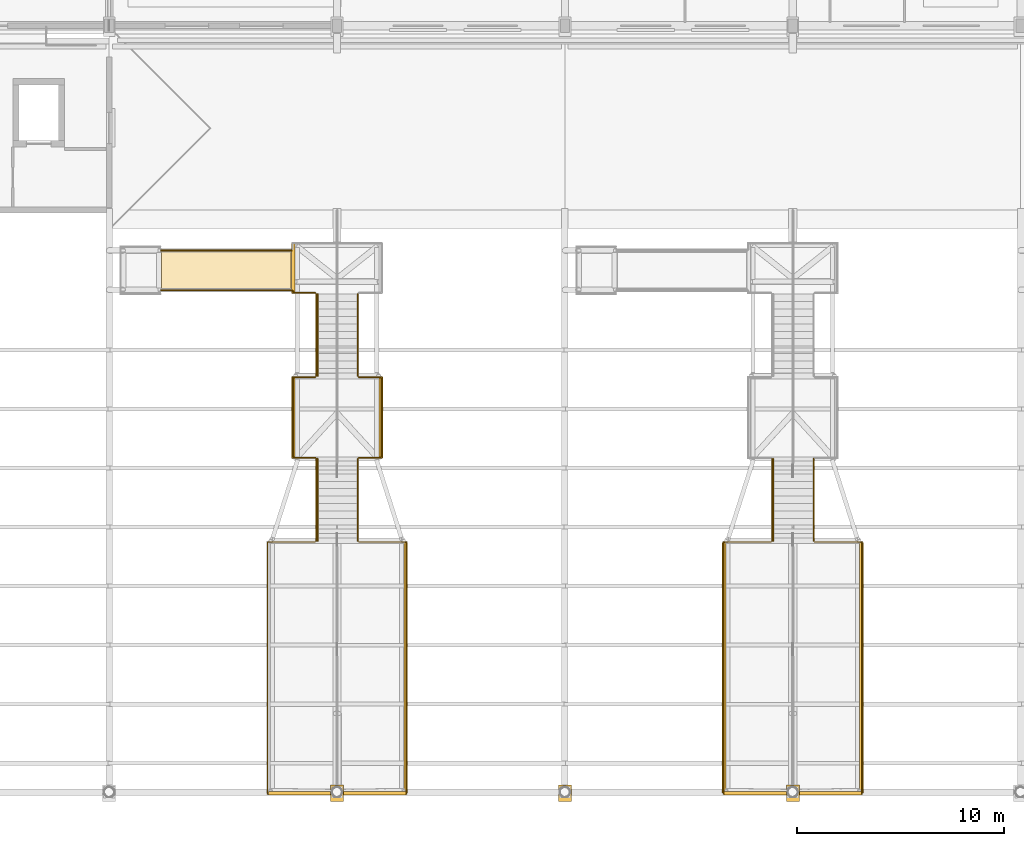
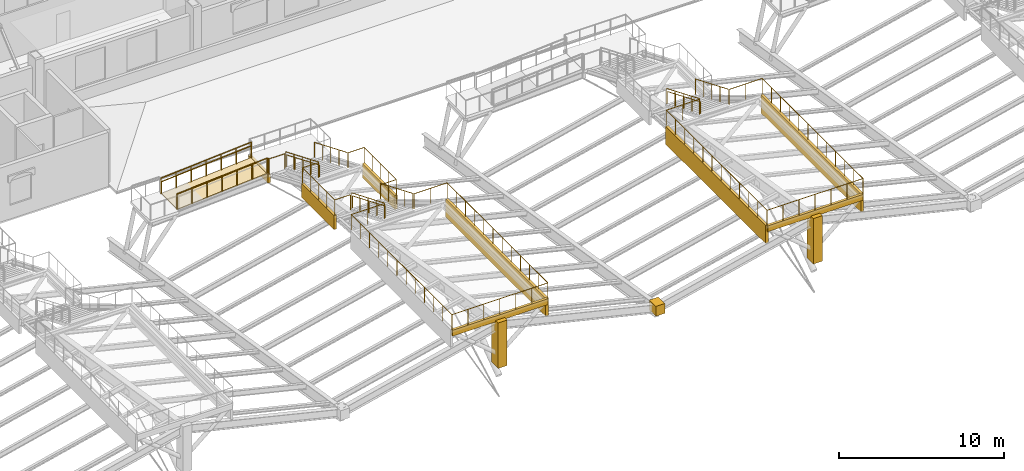
# One storey, part 33 of 43: 17 railings, 12 coverings.
"""IFC4 building model written with IfcOpenShell, lengths in metres."""

from ifc_helpers import new_model, si_unit, direction, frame, frame_2d, origin, origin_2d, place, context, subcontext, project, spatial, polyline, rectangle, circle, outline, extrude, material, layer, layer_set, type_object, element, save


model = new_model("IFC4")

# Units and contexts
model_context = context("Model", 3, precision=1e-05, world=origin(), true_north=direction((0.0, 1.0)))
body_context = subcontext(model_context, "Body", "Model", "MODEL_VIEW")
ifc_project = project(units=[si_unit("LENGTHUNIT", "METRE"), si_unit("AREAUNIT", "SQUARE_METRE"), si_unit("VOLUMEUNIT", "CUBIC_METRE"), si_unit("PLANEANGLEUNIT", "RADIAN"), si_unit("MASSUNIT", "GRAM", prefix="KILO")], contexts=[model_context])

# Site, building, storey
site_placement = place(None, origin())
site = spatial("IfcSite", under=ifc_project, at=site_placement, CompositionType="ELEMENT")
building_placement = place(site_placement, origin())
building = spatial("IfcBuilding", under=site, at=building_placement, Name="Caurita Quay Ferry Terminal", CompositionType="ELEMENT")
storey_placement = place(building_placement, frame((0.0, 0.0, 14.10009765625)))
storey = spatial("IfcBuildingStorey", under=building, at=storey_placement, Name="L03", CompositionType="ELEMENT", Elevation=14.10009765625)

# Coverings
ifc_material_1 = material(Name="Warm-white lime stucco masonry", Category="masonry")
ifc_layer_1 = layer(ifc_material_1, 0.360107421875, Name="Spanish Colonial semicircular lime-stucco portales arcade 360 mm")
ifc_layer_set_1 = layer_set([ifc_layer_1], Name="Warm-white lime stucco masonry")
covering_type_1 = type_object("IfcCoveringType", Name="COV-ARC-CLD", PredefinedType="CLADDING", material=ifc_layer_set_1)
covering_1_placement = place(storey_placement, frame((36.320068359375, 34.550048828125, 2.349853515625), z_axis=(0.0, 0.0, 1.0), x_axis=(0.0, 1.0, 0.0)))
element("IfcCovering", 1, at=covering_1_placement, inside=storey, type_object=covering_type_1, Name="Folded Roof Bay 2 Lookout Stucco Skirt 02", PredefinedType="CLADDING", context=body_context, shape_type="SweptSolid", body=[
    extrude(rectangle(XDim=12.099853515625, YDim=0.179931640625, at=frame_2d((6.0498046875, 0.0))), origin(), (0.0, 0.0, 1.0), 1.330078125),
])
covering_2_placement = place(storey_placement, frame((29.679931640625, 34.550048828125, 3.25), z_axis=(0.0, 0.0, 1.0), x_axis=(1.0, 0.0, 0.0)))
element("IfcCovering", 2, at=covering_2_placement, inside=storey, type_object=covering_type_1, Name="Folded Roof Bay 2 Lookout Stucco Skirt 03", PredefinedType="CLADDING", context=body_context, shape_type="SweptSolid", body=[
    extrude(rectangle(XDim=6.64013671875, YDim=0.179931640625, at=frame_2d((3.320068359375, 0.0))), origin(), (0.0, 0.0, 1.0), 0.429931640625),
])
for number, where, z_axis, x_axis, name in (
    (3, (30.8798828125, 54.64990234375, 0.849853515625), (0.0, 0.0, 1.0), (0.0, -1.0, 0.0), "Folded Roof Bay 2 Lookout Stucco Skirt 04"),
    (4, (35.1201171875, 50.72998046875, 0.849853515625), (0.0, 0.0, 1.0), (0.0, 1.0, 0.0), "Folded Roof Bay 2 Lookout Stucco Skirt 05"),
):
    element("IfcCovering", number, at=place(storey_placement, frame(where, z_axis=z_axis, x_axis=x_axis)), inside=storey, type_object=covering_type_1, Name=name, PredefinedType="CLADDING", context=body_context, shape_type="SweptSolid", body=[
        extrude(rectangle(XDim=3.919921875, YDim=0.179931640625, at=frame_2d((1.9599609375, 0.0))), origin(), (0.0, 0.0, 1.0), 1.030029296875),
    ])
covering_3_placement = place(storey_placement, frame((30.8798828125, 61.10009765625, -0.550048828125), z_axis=(0.0, 0.0, 1.0), x_axis=(0.0, -1.0, 0.0)))
element("IfcCovering", 5, at=covering_3_placement, inside=storey, type_object=covering_type_1, Name="Folded Roof Bay 2 Lookout Stucco Skirt 06", PredefinedType="CLADDING", context=body_context, shape_type="SweptSolid", body=[
    extrude(rectangle(XDim=2.400146484375, YDim=0.179931640625, at=frame_2d((1.2001953125, 0.0))), origin(), (0.0, 0.0, 1.0), 0.6298828125),
])
for number, where, z_axis, x_axis, name in (
    (6, (51.679931640625, 46.64990234375, 2.349853515625), (0.0, 0.0, 1.0), (0.0, -1.0, 0.0), "Folded Roof Bay 3 Lookout Stucco Skirt 01"),
    (7, (58.320068359375, 34.550048828125, 2.349853515625), (0.0, 0.0, 1.0), (0.0, 1.0, 0.0), "Folded Roof Bay 3 Lookout Stucco Skirt 02"),
):
    element("IfcCovering", number, at=place(storey_placement, frame(where, z_axis=z_axis, x_axis=x_axis)), inside=storey, type_object=covering_type_1, Name=name, PredefinedType="CLADDING", context=body_context, shape_type="SweptSolid", body=[
        extrude(rectangle(XDim=12.099853515625, YDim=0.179931640625, at=frame_2d((6.0498046875, 0.0))), origin(), (0.0, 0.0, 1.0), 1.330078125),
    ])
covering_4_placement = place(storey_placement, frame((51.679931640625, 34.550048828125, 3.25), z_axis=(0.0, 0.0, 1.0), x_axis=(1.0, 0.0, 0.0)))
element("IfcCovering", 8, at=covering_4_placement, inside=storey, type_object=covering_type_1, Name="Folded Roof Bay 3 Lookout Stucco Skirt 03", PredefinedType="CLADDING", context=body_context, shape_type="SweptSolid", body=[
    extrude(rectangle(XDim=6.64013671875, YDim=0.179931640625, at=frame_2d((3.320068359375, 0.0))), origin(), (0.0, 0.0, 1.0), 0.429931640625),
])
ifc_material_2 = material(Name="Polished marine terrazzo tile", Category="finish")
ifc_layer_2 = layer(ifc_material_2, 0.02490234375, Name="Polished marine terrazzo floor finish 25 mm")
ifc_layer_set_2 = layer_set([ifc_layer_2], Name="Polished marine terrazzo tile")
covering_type_2 = type_object("IfcCoveringType", Name="COV-FLR-025", PredefinedType="FLOORING", material=ifc_layer_set_2)
covering_5_placement = place(storey_placement, frame((24.530029296875, 58.840087890625, -0.35009765625), z_axis=(-0.071920937813, 0.0, 0.997410336173), x_axis=(0.997410336173, 0.0, 0.071920937813)))
element("IfcCovering", 9, at=covering_5_placement, inside=storey, type_object=covering_type_2, Name="Folded Roof Bay 2 Accessible Ramp Terrazzo Deck", PredefinedType="FLOORING", context=body_context, shape_type="SweptSolid", body=[
    extrude(outline(polyline([(0.0, 0.0), (6.256191667633518, 0.0), (6.256191667633518, 1.9199218750000004), (0.0, 1.9199218750000004), (0.0, 0.0)])), origin(), (0.0, 0.0, -1.0), 0.06005859375),
])
ifc_layer_3 = layer(ifc_material_1, 0.179931640625, Name="Classical engaged lime-stucco facade pilaster cladding 180 mm")
ifc_layer_set_3 = layer_set([ifc_layer_3], Name="Warm-white lime stucco masonry")
covering_type_3 = type_object("IfcCoveringType", Name="COV-PIL-CLD", PredefinedType="CLADDING", material=ifc_layer_set_3)
covering_6_placement = place(storey_placement, frame((33.0, 34.550048828125, 0.0), z_axis=(0.0, 0.0, 1.0), x_axis=(1.0, 0.0, 0.0)))
element("IfcCovering", 10, at=covering_6_placement, inside=storey, type_object=covering_type_3, Name="L03 Classical Engaged Pilaster 0036", PredefinedType="CLADDING", context=body_context, shape_type="SweptSolid", body=[
    extrude(rectangle(XDim=0.6279296875, YDim=0.7880859375, at=origin_2d()), origin(), (0.0, 0.0, 1.0), 3.360107421875),
])
covering_7_placement = place(storey_placement, frame((44.0, 34.550048828125, 0.0), z_axis=(0.0, 0.0, 1.0), x_axis=(1.0, 0.0, 0.0)))
element("IfcCovering", 11, at=covering_7_placement, inside=storey, type_object=covering_type_3, Name="L03 Classical Engaged Pilaster 0043", PredefinedType="CLADDING", context=body_context, shape_type="SweptSolid", body=[
    extrude(rectangle(XDim=0.6279296875, YDim=0.7880859375, at=origin_2d()), origin(), (0.0, 0.0, 1.0), 0.719970703125),
])
covering_8_placement = place(storey_placement, frame((55.0, 34.550048828125, 0.0), z_axis=(0.0, 0.0, 1.0), x_axis=(1.0, 0.0, 0.0)))
element("IfcCovering", 12, at=covering_8_placement, inside=storey, type_object=covering_type_3, Name="L03 Classical Engaged Pilaster 0050", PredefinedType="CLADDING", context=body_context, shape_type="SweptSolid", body=[
    extrude(rectangle(XDim=0.6279296875, YDim=0.7880859375, at=origin_2d()), origin(), (0.0, 0.0, 1.0), 3.360107421875),
])

# Railings
ifc_material_3 = material(Name="Bronze architectural metalwork", Category="metal")
railing_type_1 = type_object("IfcRailingType", Name="RL-HND-090", PredefinedType="HANDRAIL", material=ifc_material_3)
railing_1_placement = place(storey_placement, frame((32.06005859375, 58.64990234375, 0.25)))
element("IfcRailing", 13, at=railing_1_placement, inside=storey, type_object=railing_type_1, Name="Waterside Peak Lookout 2 Handrail 1", PredefinedType="HANDRAIL", context=body_context, shape_type="SweptSolid", body=[
    extrude(circle(Radius=0.02392578125, at=origin_2d()), frame((0.0, 0.0, 0.8759765625), z_axis=(0.0, -0.923083657872, 0.384599220709), x_axis=(1.0, 0.0, 0.0)), (0.0, 0.0, 1.0), 4.2900390625),
    extrude(circle(Radius=0.02099609375, at=origin_2d()), origin(), (0.0, 0.0, 1.0), 0.851806640625),
    extrude(circle(Radius=0.02099609375, at=origin_2d()), frame((0.0, -0.989990234375, 0.41259765625)), (0.0, 0.0, 1.0), 0.851806640625),
    extrude(circle(Radius=0.02099609375, at=origin_2d()), frame((0.0, -1.97998046875, 0.824951171875)), (0.0, 0.0, 1.0), 0.851806640625),
    extrude(circle(Radius=0.02099609375, at=origin_2d()), frame((0.0, -2.969970703125, 1.2373046875)), (0.0, 0.0, 1.0), 0.851806640625),
    extrude(circle(Radius=0.02099609375, at=origin_2d()), frame((0.0, -3.9599609375, 1.64990234375)), (0.0, 0.0, 1.0), 0.851806640625),
])
for number, where, name in (
    (14, (32.06005859375, 50.68994140625, 2.0498046875), "Waterside Peak Lookout 2 Handrail 2"),
    (15, (54.06005859375, 50.68994140625, 2.0498046875), "Waterside Peak Lookout 3 Handrail 2"),
):
    element("IfcRailing", number, at=place(storey_placement, frame(where)), inside=storey, type_object=railing_type_1, Name=name, PredefinedType="HANDRAIL", context=body_context, shape_type="SweptSolid", body=[
        extrude(circle(Radius=0.02392578125, at=origin_2d()), frame((0.0, 0.0, 0.8759765625), z_axis=(0.0, -0.923063452933, 0.384647711367), x_axis=(1.0, 0.0, 0.0)), (0.0, 0.0, 1.0), 4.2900390625),
        extrude(circle(Radius=0.02099609375, at=origin_2d()), origin(), (0.0, 0.0, 1.0), 0.851806640625),
        extrude(circle(Radius=0.02099609375, at=origin_2d()), frame((0.0, -0.989990234375, 0.41259765625)), (0.0, 0.0, 1.0), 0.851806640625),
        extrude(circle(Radius=0.02099609375, at=origin_2d()), frame((0.0, -1.97998046875, 0.8251953125)), (0.0, 0.0, 1.0), 0.851806640625),
        extrude(circle(Radius=0.02099609375, at=origin_2d()), frame((0.0, -2.969970703125, 1.237548828125)), (0.0, 0.0, 1.0), 0.851806640625),
        extrude(circle(Radius=0.02099609375, at=origin_2d()), frame((0.0, -3.9599609375, 1.650146484375)), (0.0, 0.0, 1.0), 0.851806640625),
    ])
railing_2_placement = place(storey_placement, frame((24.5, 60.739990234375, -0.35009765625)))
element("IfcRailing", 16, at=railing_2_placement, inside=storey, type_object=railing_type_1, Name="Folded Roof Bay 2 Accessible Lookout Ramp Handrail 2", PredefinedType="HANDRAIL", context=body_context, shape_type="SweptSolid", body=[
    extrude(circle(Radius=0.02392578125, at=origin_2d()), frame((0.0, 0.0, 0.8759765625), z_axis=(0.997459288432, 0.0, 0.07123880909), x_axis=(0.0, 1.0, 0.0)), (0.0, 0.0, 1.0), 6.316162109375),
    extrude(circle(Radius=0.02099609375, at=origin_2d()), origin(), (0.0, 0.0, 1.0), 0.851806640625),
    extrude(circle(Radius=0.02099609375, at=origin_2d()), frame((1.050048828125, 0.0, 0.074951171875)), (0.0, 0.0, 1.0), 0.851806640625),
    extrude(circle(Radius=0.02099609375, at=origin_2d()), frame((2.10009765625, 0.0, 0.14990234375)), (0.0, 0.0, 1.0), 0.851806640625),
    extrude(circle(Radius=0.02099609375, at=origin_2d()), frame((3.14990234375, 0.0, 0.22509765625)), (0.0, 0.0, 1.0), 0.851806640625),
    extrude(circle(Radius=0.02099609375, at=origin_2d()), frame((4.199951171875, 0.0, 0.300048828125)), (0.0, 0.0, 1.0), 0.851806640625),
    extrude(circle(Radius=0.02099609375, at=origin_2d()), frame((5.25, 0.0, 0.375)), (0.0, 0.0, 1.0), 0.851806640625),
    extrude(circle(Radius=0.02099609375, at=origin_2d()), frame((6.300048828125, 0.0, 0.449951171875)), (0.0, 0.0, 1.0), 0.851806640625),
])
railing_type_2 = type_object("IfcRailingType", Name="RL-REJA-115", PredefinedType="BALUSTRADE", material=ifc_material_3)
railing_3_placement = place(storey_placement, frame((31.949951171875, 58.699951171875, 0.099853515625)))
element("IfcRailing", 17, at=railing_3_placement, inside=storey, type_object=railing_type_2, Name="Waterside Peak Lookout 2 Guardrail 1", PredefinedType="BALUSTRADE", context=body_context, shape_type="SweptSolid", body=[
    extrude(circle(Radius=0.02392578125, at=origin_2d()), frame((0.0, 0.0, 1.1259765625), z_axis=(-1.0, 0.0, 0.0), x_axis=(0.0, -1.0, 0.0)), (0.0, 0.0, 1.0), 1.099853515625),
    extrude(circle(Radius=0.02392578125, at=origin_2d()), frame((-1.099853515625, 0.0, 1.1259765625), z_axis=(0.0, 1.0, 0.0), x_axis=(-1.0, 0.0, 0.0)), (0.0, 0.0, 1.0), 0.10009765625),
    extrude(circle(Radius=0.02099609375, at=origin_2d()), origin(), (0.0, 0.0, 1.0), 1.101806640625),
    extrude(circle(Radius=0.02099609375, at=origin_2d()), frame((-1.099853515625, 0.0, 0.0)), (0.0, 0.0, 1.0), 1.101806640625),
    extrude(circle(Radius=0.02099609375, at=origin_2d()), frame((-1.099853515625, 0.10009765625, 0.0)), (0.0, 0.0, 1.0), 1.101806640625),
])
for number, where, name in (
    (18, (32.0, 58.64990234375, 0.25), "Waterside Peak Lookout 2 Guardrail 3"),
    (19, (34.0, 58.64990234375, 0.25), "Waterside Peak Lookout 2 Guardrail 4"),
):
    element("IfcRailing", number, at=place(storey_placement, frame(where)), inside=storey, type_object=railing_type_2, Name=name, PredefinedType="BALUSTRADE", context=body_context, shape_type="SweptSolid", body=[
        extrude(circle(Radius=0.02392578125, at=origin_2d()), frame((0.0, 0.0, 1.1259765625), z_axis=(0.0, -0.923083657872, 0.384599220709), x_axis=(1.0, 0.0, 0.0)), (0.0, 0.0, 1.0), 4.2900390625),
        extrude(circle(Radius=0.02099609375, at=origin_2d()), origin(), (0.0, 0.0, 1.0), 1.101806640625),
        extrude(circle(Radius=0.02099609375, at=origin_2d()), frame((0.0, -0.989990234375, 0.41259765625)), (0.0, 0.0, 1.0), 1.101806640625),
        extrude(circle(Radius=0.02099609375, at=origin_2d()), frame((0.0, -1.97998046875, 0.824951171875)), (0.0, 0.0, 1.0), 1.101806640625),
        extrude(circle(Radius=0.02099609375, at=origin_2d()), frame((0.0, -2.969970703125, 1.2373046875)), (0.0, 0.0, 1.0), 1.101806640625),
        extrude(circle(Radius=0.02099609375, at=origin_2d()), frame((0.0, -3.9599609375, 1.64990234375)), (0.0, 0.0, 1.0), 1.101806640625),
    ])
railing_4_placement = place(storey_placement, frame((31.949951171875, 54.639892578125, 1.89990234375)))
element("IfcRailing", 20, at=railing_4_placement, inside=storey, type_object=railing_type_2, Name="Waterside Peak Lookout 2 Guardrail 5", PredefinedType="BALUSTRADE", context=body_context, shape_type="SweptSolid", body=[
    extrude(circle(Radius=0.02392578125, at=origin_2d()), frame((0.0, 0.0, 1.1259765625), z_axis=(-1.0, 0.0, 0.0), x_axis=(0.0, -1.0, 0.0)), (0.0, 0.0, 1.0), 1.099853515625),
    extrude(circle(Radius=0.02392578125, at=origin_2d()), frame((-1.099853515625, 0.0, 1.1259765625), z_axis=(0.0, -1.0, 0.0), x_axis=(1.0, 0.0, 0.0)), (0.0, 0.0, 1.0), 3.89990234375),
    extrude(circle(Radius=0.02392578125, at=origin_2d()), frame((-1.099853515625, -3.89990234375, 1.1259765625), z_axis=(1.0, 0.0, 0.0), x_axis=(0.0, 1.0, 0.0)), (0.0, 0.0, 1.0), 1.099853515625),
    extrude(circle(Radius=0.02099609375, at=origin_2d()), origin(), (0.0, 0.0, 1.0), 1.101806640625),
    extrude(circle(Radius=0.02099609375, at=origin_2d()), frame((-1.099853515625, 0.0, 0.0)), (0.0, 0.0, 1.0), 1.101806640625),
    extrude(circle(Radius=0.02099609375, at=origin_2d()), frame((-1.099853515625, -0.97509765625, 0.0)), (0.0, 0.0, 1.0), 1.101806640625),
    extrude(circle(Radius=0.02099609375, at=origin_2d()), frame((-1.099853515625, -1.949951171875, 0.0)), (0.0, 0.0, 1.0), 1.101806640625),
    extrude(circle(Radius=0.02099609375, at=origin_2d()), frame((-1.099853515625, -2.9248046875, 0.0)), (0.0, 0.0, 1.0), 1.101806640625),
    extrude(circle(Radius=0.02099609375, at=origin_2d()), frame((-1.099853515625, -3.89990234375, 0.0)), (0.0, 0.0, 1.0), 1.101806640625),
    extrude(circle(Radius=0.02099609375, at=origin_2d()), frame((0.0, -3.89990234375, 0.0)), (0.0, 0.0, 1.0), 1.101806640625),
])
railing_5_placement = place(storey_placement, frame((34.050048828125, 54.639892578125, 1.89990234375)))
element("IfcRailing", 21, at=railing_5_placement, inside=storey, type_object=railing_type_2, Name="Waterside Peak Lookout 2 Guardrail 6", PredefinedType="BALUSTRADE", context=body_context, shape_type="SweptSolid", body=[
    extrude(circle(Radius=0.02392578125, at=origin_2d()), frame((0.0, 0.0, 1.1259765625), z_axis=(1.0, 0.0, 0.0), x_axis=(0.0, 1.0, 0.0)), (0.0, 0.0, 1.0), 1.099853515625),
    extrude(circle(Radius=0.02392578125, at=origin_2d()), frame((1.099853515625, 0.0, 1.1259765625), z_axis=(0.0, -1.0, 0.0), x_axis=(1.0, 0.0, 0.0)), (0.0, 0.0, 1.0), 3.89990234375),
    extrude(circle(Radius=0.02392578125, at=origin_2d()), frame((1.099853515625, -3.89990234375, 1.1259765625), z_axis=(-1.0, 0.0, 0.0), x_axis=(0.0, -1.0, 0.0)), (0.0, 0.0, 1.0), 1.099853515625),
    extrude(circle(Radius=0.02099609375, at=origin_2d()), origin(), (0.0, 0.0, 1.0), 1.101806640625),
    extrude(circle(Radius=0.02099609375, at=origin_2d()), frame((1.099853515625, 0.0, 0.0)), (0.0, 0.0, 1.0), 1.101806640625),
    extrude(circle(Radius=0.02099609375, at=origin_2d()), frame((1.099853515625, -0.97509765625, 0.0)), (0.0, 0.0, 1.0), 1.101806640625),
    extrude(circle(Radius=0.02099609375, at=origin_2d()), frame((1.099853515625, -1.949951171875, 0.0)), (0.0, 0.0, 1.0), 1.101806640625),
    extrude(circle(Radius=0.02099609375, at=origin_2d()), frame((1.099853515625, -2.9248046875, 0.0)), (0.0, 0.0, 1.0), 1.101806640625),
    extrude(circle(Radius=0.02099609375, at=origin_2d()), frame((1.099853515625, -3.89990234375, 0.0)), (0.0, 0.0, 1.0), 1.101806640625),
    extrude(circle(Radius=0.02099609375, at=origin_2d()), frame((0.0, -3.89990234375, 0.0)), (0.0, 0.0, 1.0), 1.101806640625),
])
for number, where, name in (
    (22, (32.0, 50.68994140625, 2.0498046875), "Waterside Peak Lookout 2 Guardrail 7"),
    (23, (34.0, 50.68994140625, 2.0498046875), "Waterside Peak Lookout 2 Guardrail 8"),
):
    element("IfcRailing", number, at=place(storey_placement, frame(where)), inside=storey, type_object=railing_type_2, Name=name, PredefinedType="BALUSTRADE", context=body_context, shape_type="SweptSolid", body=[
        extrude(circle(Radius=0.02392578125, at=origin_2d()), frame((0.0, 0.0, 1.1259765625), z_axis=(0.0, -0.923063452933, 0.384647711367), x_axis=(1.0, 0.0, 0.0)), (0.0, 0.0, 1.0), 4.2900390625),
        extrude(circle(Radius=0.02099609375, at=origin_2d()), origin(), (0.0, 0.0, 1.0), 1.101806640625),
        extrude(circle(Radius=0.02099609375, at=origin_2d()), frame((0.0, -0.989990234375, 0.41259765625)), (0.0, 0.0, 1.0), 1.101806640625),
        extrude(circle(Radius=0.02099609375, at=origin_2d()), frame((0.0, -1.97998046875, 0.8251953125)), (0.0, 0.0, 1.0), 1.101806640625),
        extrude(circle(Radius=0.02099609375, at=origin_2d()), frame((0.0, -2.969970703125, 1.237548828125)), (0.0, 0.0, 1.0), 1.101806640625),
        extrude(circle(Radius=0.02099609375, at=origin_2d()), frame((0.0, -3.9599609375, 1.650146484375)), (0.0, 0.0, 1.0), 1.101806640625),
    ])
railing_6_placement = place(storey_placement, frame((31.949951171875, 46.679931640625, 3.699951171875)))
element("IfcRailing", 24, at=railing_6_placement, inside=storey, type_object=railing_type_2, Name="Waterside Peak Lookout 2 Guardrail 9", PredefinedType="BALUSTRADE", context=body_context, shape_type="SweptSolid", body=[
    extrude(circle(Radius=0.02392578125, at=origin_2d()), frame((0.0, 0.0, 1.1259765625), z_axis=(-1.0, 0.0, 0.0), x_axis=(0.0, -1.0, 0.0)), (0.0, 0.0, 1.0), 2.300048828125),
    extrude(circle(Radius=0.02392578125, at=origin_2d()), frame((-2.300048828125, 0.0, 1.1259765625), z_axis=(0.0, -1.0, 0.0), x_axis=(1.0, 0.0, 0.0)), (0.0, 0.0, 1.0), 12.179931640625),
    extrude(circle(Radius=0.02392578125, at=origin_2d()), frame((-2.300048828125, -12.179931640625, 1.1259765625), z_axis=(1.0, 0.0, 0.0), x_axis=(0.0, 1.0, 0.0)), (0.0, 0.0, 1.0), 6.7001953125),
    extrude(circle(Radius=0.02392578125, at=origin_2d()), frame((4.400146484375, -12.179931640625, 1.1259765625), z_axis=(0.0, 1.0, 0.0), x_axis=(-1.0, 0.0, 0.0)), (0.0, 0.0, 1.0), 12.179931640625),
    extrude(circle(Radius=0.02392578125, at=origin_2d()), frame((4.400146484375, 0.0, 1.1259765625), z_axis=(-1.0, 0.0, 0.0), x_axis=(0.0, -1.0, 0.0)), (0.0, 0.0, 1.0), 2.300048828125),
    extrude(circle(Radius=0.02099609375, at=origin_2d()), origin(), (0.0, 0.0, 1.0), 1.101806640625),
    extrude(circle(Radius=0.02099609375, at=origin_2d()), frame((-1.14990234375, 0.0, 0.0)), (0.0, 0.0, 1.0), 1.101806640625),
    extrude(circle(Radius=0.02099609375, at=origin_2d()), frame((-2.300048828125, 0.0, 0.0)), (0.0, 0.0, 1.0), 1.101806640625),
    extrude(circle(Radius=0.02099609375, at=origin_2d()), frame((-2.300048828125, -1.107177734375, 0.0)), (0.0, 0.0, 1.0), 1.101806640625),
    extrude(circle(Radius=0.02099609375, at=origin_2d()), frame((-2.300048828125, -2.214599609375, 0.0)), (0.0, 0.0, 1.0), 1.101806640625),
    extrude(circle(Radius=0.02099609375, at=origin_2d()), frame((-2.300048828125, -3.32177734375, 0.0)), (0.0, 0.0, 1.0), 1.101806640625),
    extrude(circle(Radius=0.02099609375, at=origin_2d()), frame((-2.300048828125, -4.428955078125, 0.0)), (0.0, 0.0, 1.0), 1.101806640625),
    extrude(circle(Radius=0.02099609375, at=origin_2d()), frame((-2.300048828125, -5.536376953125, 0.0)), (0.0, 0.0, 1.0), 1.101806640625),
    extrude(circle(Radius=0.02099609375, at=origin_2d()), frame((-2.300048828125, -6.6435546875, 0.0)), (0.0, 0.0, 1.0), 1.101806640625),
    extrude(circle(Radius=0.02099609375, at=origin_2d()), frame((-2.300048828125, -7.7509765625, 0.0)), (0.0, 0.0, 1.0), 1.101806640625),
    extrude(circle(Radius=0.02099609375, at=origin_2d()), frame((-2.300048828125, -8.858154296875, 0.0)), (0.0, 0.0, 1.0), 1.101806640625),
    extrude(circle(Radius=0.02099609375, at=origin_2d()), frame((-2.300048828125, -9.96533203125, 0.0)), (0.0, 0.0, 1.0), 1.101806640625),
    extrude(circle(Radius=0.02099609375, at=origin_2d()), frame((-2.300048828125, -11.07275390625, 0.0)), (0.0, 0.0, 1.0), 1.101806640625),
    extrude(circle(Radius=0.02099609375, at=origin_2d()), frame((-2.300048828125, -12.179931640625, 0.0)), (0.0, 0.0, 1.0), 1.101806640625),
    extrude(circle(Radius=0.02099609375, at=origin_2d()), frame((-1.183349609375, -12.179931640625, 0.0)), (0.0, 0.0, 1.0), 1.101806640625),
    extrude(circle(Radius=0.02099609375, at=origin_2d()), frame((-0.066650390625, -12.179931640625, 0.0)), (0.0, 0.0, 1.0), 1.101806640625),
    extrude(circle(Radius=0.02099609375, at=origin_2d()), frame((1.050048828125, -12.179931640625, 0.0)), (0.0, 0.0, 1.0), 1.101806640625),
    extrude(circle(Radius=0.02099609375, at=origin_2d()), frame((2.166748046875, -12.179931640625, 0.0)), (0.0, 0.0, 1.0), 1.101806640625),
    extrude(circle(Radius=0.02099609375, at=origin_2d()), frame((3.283447265625, -12.179931640625, 0.0)), (0.0, 0.0, 1.0), 1.101806640625),
    extrude(circle(Radius=0.02099609375, at=origin_2d()), frame((4.400146484375, -12.179931640625, 0.0)), (0.0, 0.0, 1.0), 1.101806640625),
    extrude(circle(Radius=0.02099609375, at=origin_2d()), frame((4.400146484375, -11.07275390625, 0.0)), (0.0, 0.0, 1.0), 1.101806640625),
    extrude(circle(Radius=0.02099609375, at=origin_2d()), frame((4.400146484375, -9.96533203125, 0.0)), (0.0, 0.0, 1.0), 1.101806640625),
    extrude(circle(Radius=0.02099609375, at=origin_2d()), frame((4.400146484375, -8.858154296875, 0.0)), (0.0, 0.0, 1.0), 1.101806640625),
    extrude(circle(Radius=0.02099609375, at=origin_2d()), frame((4.400146484375, -7.7509765625, 0.0)), (0.0, 0.0, 1.0), 1.101806640625),
    extrude(circle(Radius=0.02099609375, at=origin_2d()), frame((4.400146484375, -6.6435546875, 0.0)), (0.0, 0.0, 1.0), 1.101806640625),
    extrude(circle(Radius=0.02099609375, at=origin_2d()), frame((4.400146484375, -5.536376953125, 0.0)), (0.0, 0.0, 1.0), 1.101806640625),
    extrude(circle(Radius=0.02099609375, at=origin_2d()), frame((4.400146484375, -4.428955078125, 0.0)), (0.0, 0.0, 1.0), 1.101806640625),
    extrude(circle(Radius=0.02099609375, at=origin_2d()), frame((4.400146484375, -3.32177734375, 0.0)), (0.0, 0.0, 1.0), 1.101806640625),
    extrude(circle(Radius=0.02099609375, at=origin_2d()), frame((4.400146484375, -2.214599609375, 0.0)), (0.0, 0.0, 1.0), 1.101806640625),
    extrude(circle(Radius=0.02099609375, at=origin_2d()), frame((4.400146484375, -1.107177734375, 0.0)), (0.0, 0.0, 1.0), 1.101806640625),
    extrude(circle(Radius=0.02099609375, at=origin_2d()), frame((4.400146484375, 0.0, 0.0)), (0.0, 0.0, 1.0), 1.101806640625),
    extrude(circle(Radius=0.02099609375, at=origin_2d()), frame((3.25, 0.0, 0.0)), (0.0, 0.0, 1.0), 1.101806640625),
    extrude(circle(Radius=0.02099609375, at=origin_2d()), frame((2.10009765625, 0.0, 0.0)), (0.0, 0.0, 1.0), 1.101806640625),
])
for number, where, name in (
    (25, (54.0, 50.68994140625, 2.0498046875), "Waterside Peak Lookout 3 Guardrail 7"),
    (26, (56.0, 50.68994140625, 2.0498046875), "Waterside Peak Lookout 3 Guardrail 8"),
):
    element("IfcRailing", number, at=place(storey_placement, frame(where)), inside=storey, type_object=railing_type_2, Name=name, PredefinedType="BALUSTRADE", context=body_context, shape_type="SweptSolid", body=[
        extrude(circle(Radius=0.02392578125, at=origin_2d()), frame((0.0, 0.0, 1.1259765625), z_axis=(0.0, -0.923063452933, 0.384647711367), x_axis=(1.0, 0.0, 0.0)), (0.0, 0.0, 1.0), 4.2900390625),
        extrude(circle(Radius=0.02099609375, at=origin_2d()), origin(), (0.0, 0.0, 1.0), 1.101806640625),
        extrude(circle(Radius=0.02099609375, at=origin_2d()), frame((0.0, -0.989990234375, 0.41259765625)), (0.0, 0.0, 1.0), 1.101806640625),
        extrude(circle(Radius=0.02099609375, at=origin_2d()), frame((0.0, -1.97998046875, 0.8251953125)), (0.0, 0.0, 1.0), 1.101806640625),
        extrude(circle(Radius=0.02099609375, at=origin_2d()), frame((0.0, -2.969970703125, 1.237548828125)), (0.0, 0.0, 1.0), 1.101806640625),
        extrude(circle(Radius=0.02099609375, at=origin_2d()), frame((0.0, -3.9599609375, 1.650146484375)), (0.0, 0.0, 1.0), 1.101806640625),
    ])
railing_7_placement = place(storey_placement, frame((53.949951171875, 46.679931640625, 3.699951171875)))
element("IfcRailing", 27, at=railing_7_placement, inside=storey, type_object=railing_type_2, Name="Waterside Peak Lookout 3 Guardrail 9", PredefinedType="BALUSTRADE", context=body_context, shape_type="SweptSolid", body=[
    extrude(circle(Radius=0.02392578125, at=origin_2d()), frame((0.0, 0.0, 1.1259765625), z_axis=(-1.0, 0.0, 0.0), x_axis=(0.0, -1.0, 0.0)), (0.0, 0.0, 1.0), 2.300048828125),
    extrude(circle(Radius=0.02392578125, at=origin_2d()), frame((-2.300048828125, 0.0, 1.1259765625), z_axis=(0.0, -1.0, 0.0), x_axis=(1.0, 0.0, 0.0)), (0.0, 0.0, 1.0), 12.179931640625),
    extrude(circle(Radius=0.02392578125, at=origin_2d()), frame((-2.300048828125, -12.179931640625, 1.1259765625), z_axis=(1.0, 0.0, 0.0), x_axis=(0.0, 1.0, 0.0)), (0.0, 0.0, 1.0), 6.7001953125),
    extrude(circle(Radius=0.02392578125, at=origin_2d()), frame((4.400146484375, -12.179931640625, 1.1259765625), z_axis=(0.0, 1.0, 0.0), x_axis=(-1.0, 0.0, 0.0)), (0.0, 0.0, 1.0), 12.179931640625),
    extrude(circle(Radius=0.02392578125, at=origin_2d()), frame((4.400146484375, 0.0, 1.1259765625), z_axis=(-1.0, 0.0, 0.0), x_axis=(0.0, -1.0, 0.0)), (0.0, 0.0, 1.0), 2.300048828125),
    extrude(circle(Radius=0.02099609375, at=origin_2d()), origin(), (0.0, 0.0, 1.0), 1.101806640625),
    extrude(circle(Radius=0.02099609375, at=origin_2d()), frame((-1.14990234375, 0.0, 0.0)), (0.0, 0.0, 1.0), 1.101806640625),
    extrude(circle(Radius=0.02099609375, at=origin_2d()), frame((-2.300048828125, 0.0, 0.0)), (0.0, 0.0, 1.0), 1.101806640625),
    extrude(circle(Radius=0.02099609375, at=origin_2d()), frame((-2.300048828125, -1.107177734375, 0.0)), (0.0, 0.0, 1.0), 1.101806640625),
    extrude(circle(Radius=0.02099609375, at=origin_2d()), frame((-2.300048828125, -2.214599609375, 0.0)), (0.0, 0.0, 1.0), 1.101806640625),
    extrude(circle(Radius=0.02099609375, at=origin_2d()), frame((-2.300048828125, -3.32177734375, 0.0)), (0.0, 0.0, 1.0), 1.101806640625),
    extrude(circle(Radius=0.02099609375, at=origin_2d()), frame((-2.300048828125, -4.428955078125, 0.0)), (0.0, 0.0, 1.0), 1.101806640625),
    extrude(circle(Radius=0.02099609375, at=origin_2d()), frame((-2.300048828125, -5.536376953125, 0.0)), (0.0, 0.0, 1.0), 1.101806640625),
    extrude(circle(Radius=0.02099609375, at=origin_2d()), frame((-2.300048828125, -6.6435546875, 0.0)), (0.0, 0.0, 1.0), 1.101806640625),
    extrude(circle(Radius=0.02099609375, at=origin_2d()), frame((-2.300048828125, -7.7509765625, 0.0)), (0.0, 0.0, 1.0), 1.101806640625),
    extrude(circle(Radius=0.02099609375, at=origin_2d()), frame((-2.300048828125, -8.858154296875, 0.0)), (0.0, 0.0, 1.0), 1.101806640625),
    extrude(circle(Radius=0.02099609375, at=origin_2d()), frame((-2.300048828125, -9.96533203125, 0.0)), (0.0, 0.0, 1.0), 1.101806640625),
    extrude(circle(Radius=0.02099609375, at=origin_2d()), frame((-2.300048828125, -11.07275390625, 0.0)), (0.0, 0.0, 1.0), 1.101806640625),
    extrude(circle(Radius=0.02099609375, at=origin_2d()), frame((-2.300048828125, -12.179931640625, 0.0)), (0.0, 0.0, 1.0), 1.101806640625),
    extrude(circle(Radius=0.02099609375, at=origin_2d()), frame((-1.183349609375, -12.179931640625, 0.0)), (0.0, 0.0, 1.0), 1.101806640625),
    extrude(circle(Radius=0.02099609375, at=origin_2d()), frame((-0.066650390625, -12.179931640625, 0.0)), (0.0, 0.0, 1.0), 1.101806640625),
    extrude(circle(Radius=0.02099609375, at=origin_2d()), frame((1.050048828125, -12.179931640625, 0.0)), (0.0, 0.0, 1.0), 1.101806640625),
    extrude(circle(Radius=0.02099609375, at=origin_2d()), frame((2.166748046875, -12.179931640625, 0.0)), (0.0, 0.0, 1.0), 1.101806640625),
    extrude(circle(Radius=0.02099609375, at=origin_2d()), frame((3.283447265625, -12.179931640625, 0.0)), (0.0, 0.0, 1.0), 1.101806640625),
    extrude(circle(Radius=0.02099609375, at=origin_2d()), frame((4.400146484375, -12.179931640625, 0.0)), (0.0, 0.0, 1.0), 1.101806640625),
    extrude(circle(Radius=0.02099609375, at=origin_2d()), frame((4.400146484375, -11.07275390625, 0.0)), (0.0, 0.0, 1.0), 1.101806640625),
    extrude(circle(Radius=0.02099609375, at=origin_2d()), frame((4.400146484375, -9.96533203125, 0.0)), (0.0, 0.0, 1.0), 1.101806640625),
    extrude(circle(Radius=0.02099609375, at=origin_2d()), frame((4.400146484375, -8.858154296875, 0.0)), (0.0, 0.0, 1.0), 1.101806640625),
    extrude(circle(Radius=0.02099609375, at=origin_2d()), frame((4.400146484375, -7.7509765625, 0.0)), (0.0, 0.0, 1.0), 1.101806640625),
    extrude(circle(Radius=0.02099609375, at=origin_2d()), frame((4.400146484375, -6.6435546875, 0.0)), (0.0, 0.0, 1.0), 1.101806640625),
    extrude(circle(Radius=0.02099609375, at=origin_2d()), frame((4.400146484375, -5.536376953125, 0.0)), (0.0, 0.0, 1.0), 1.101806640625),
    extrude(circle(Radius=0.02099609375, at=origin_2d()), frame((4.400146484375, -4.428955078125, 0.0)), (0.0, 0.0, 1.0), 1.101806640625),
    extrude(circle(Radius=0.02099609375, at=origin_2d()), frame((4.400146484375, -3.32177734375, 0.0)), (0.0, 0.0, 1.0), 1.101806640625),
    extrude(circle(Radius=0.02099609375, at=origin_2d()), frame((4.400146484375, -2.214599609375, 0.0)), (0.0, 0.0, 1.0), 1.101806640625),
    extrude(circle(Radius=0.02099609375, at=origin_2d()), frame((4.400146484375, -1.107177734375, 0.0)), (0.0, 0.0, 1.0), 1.101806640625),
    extrude(circle(Radius=0.02099609375, at=origin_2d()), frame((4.400146484375, 0.0, 0.0)), (0.0, 0.0, 1.0), 1.101806640625),
    extrude(circle(Radius=0.02099609375, at=origin_2d()), frame((3.25, 0.0, 0.0)), (0.0, 0.0, 1.0), 1.101806640625),
    extrude(circle(Radius=0.02099609375, at=origin_2d()), frame((2.10009765625, 0.0, 0.0)), (0.0, 0.0, 1.0), 1.101806640625),
])
for number, where, name in (
    (28, (24.5, 58.830078125, -0.35009765625), "Folded Roof Bay 2 Accessible Lookout Ramp Guardrail 1"),
    (29, (24.5, 60.77001953125, -0.35009765625), "Folded Roof Bay 2 Accessible Lookout Ramp Guardrail 2"),
):
    element("IfcRailing", number, at=place(storey_placement, frame(where)), inside=storey, type_object=railing_type_2, Name=name, PredefinedType="BALUSTRADE", context=body_context, shape_type="SweptSolid", body=[
        extrude(circle(Radius=0.02392578125, at=origin_2d()), frame((0.0, 0.0, 1.1259765625), z_axis=(0.997459288432, 0.0, 0.07123880909), x_axis=(0.0, 1.0, 0.0)), (0.0, 0.0, 1.0), 6.316162109375),
        extrude(circle(Radius=0.02099609375, at=origin_2d()), origin(), (0.0, 0.0, 1.0), 1.101806640625),
        extrude(circle(Radius=0.02099609375, at=origin_2d()), frame((1.050048828125, 0.0, 0.074951171875)), (0.0, 0.0, 1.0), 1.101806640625),
        extrude(circle(Radius=0.02099609375, at=origin_2d()), frame((2.10009765625, 0.0, 0.14990234375)), (0.0, 0.0, 1.0), 1.101806640625),
        extrude(circle(Radius=0.02099609375, at=origin_2d()), frame((3.14990234375, 0.0, 0.22509765625)), (0.0, 0.0, 1.0), 1.101806640625),
        extrude(circle(Radius=0.02099609375, at=origin_2d()), frame((4.199951171875, 0.0, 0.300048828125)), (0.0, 0.0, 1.0), 1.101806640625),
        extrude(circle(Radius=0.02099609375, at=origin_2d()), frame((5.25, 0.0, 0.375)), (0.0, 0.0, 1.0), 1.101806640625),
        extrude(circle(Radius=0.02099609375, at=origin_2d()), frame((6.300048828125, 0.0, 0.449951171875)), (0.0, 0.0, 1.0), 1.101806640625),
    ])

save(model, "model.ifc")
